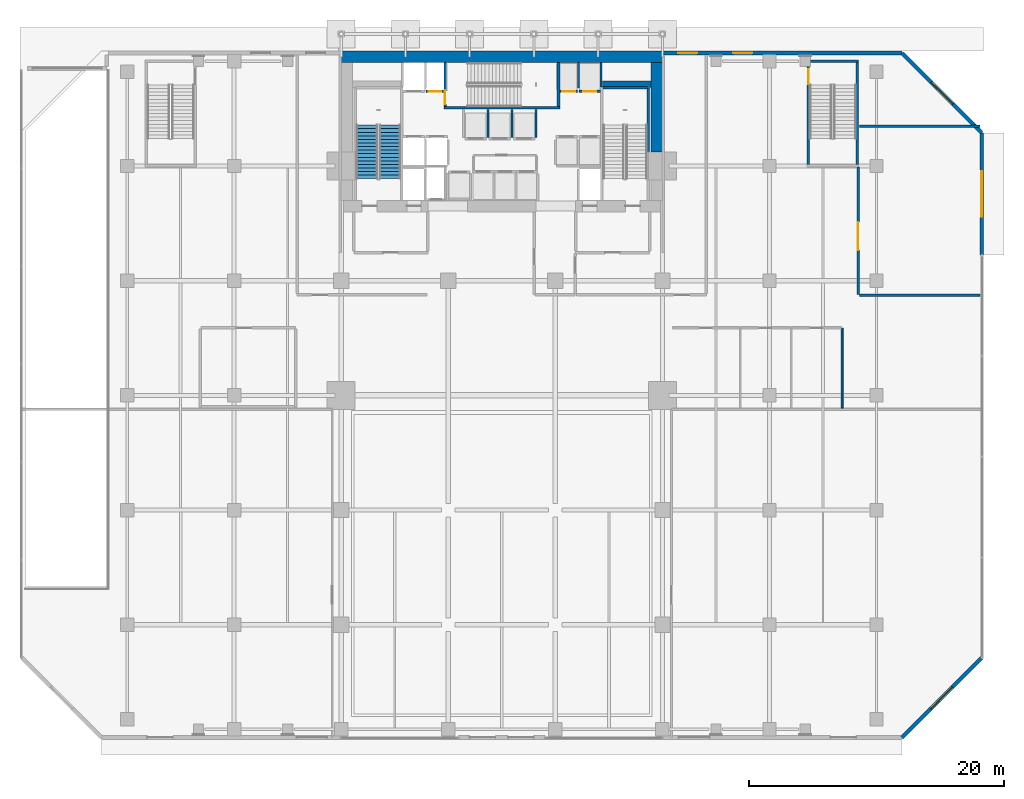
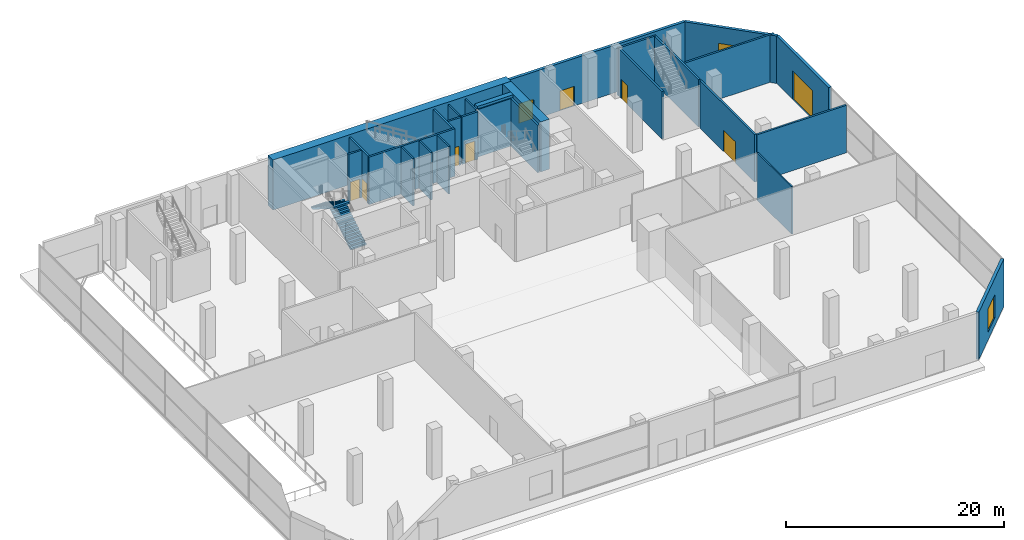
# One storey, part 30 of 35: 27 walls, 9 doors, 2 stair flights, 2 windows, 11 openings, 1 element without a shape of its own.
"""IFC4 building model written with IfcOpenShell, lengths in metres."""

from ifc_helpers import new_model, si_unit, direction, frame, frame_2d, origin, place, context, subcontext, project, spatial, polyline, rectangle, outline, extrude, material, layer, layer_set, type_object, element, fill, aggregate, save


model = new_model("IFC4")

# Units and contexts
model_context = context("Model", 3, precision=1e-05, world=origin(), true_north=direction((0.0, 1.0)))
body_context = subcontext(model_context, "Body", "Model", "MODEL_VIEW")
ifc_project = project(units=[si_unit("LENGTHUNIT", "METRE"), si_unit("AREAUNIT", "SQUARE_METRE"), si_unit("VOLUMEUNIT", "CUBIC_METRE"), si_unit("PLANEANGLEUNIT", "RADIAN"), si_unit("MASSUNIT", "GRAM", prefix="KILO")], contexts=[model_context])

# Site, building, storey
site_placement = place(None, origin())
site = spatial("IfcSite", under=ifc_project, at=site_placement, CompositionType="ELEMENT")
building_placement = place(site_placement, origin())
building = spatial("IfcBuilding", under=site, at=building_placement, Name="Maruvema Waterfront Hotel and Observation Tower", CompositionType="ELEMENT")
storey_placement = place(building_placement, origin())
storey = spatial("IfcBuildingStorey", under=building, at=storey_placement, Name="L00", CompositionType="ELEMENT", Elevation=0.0)

# Walls
ifc_material_1 = material(Name="Twin-stud acoustic gypsum drywall", Category="gypsum")
ifc_layer_1 = layer(ifc_material_1, 0.14990234375, Name="Acoustic Corridor and Suite Demising Wall 150 mm")
ifc_layer_set_1 = layer_set([ifc_layer_1], Name="Twin-stud acoustic gypsum drywall")
wall_type_1 = type_object("IfcWallType", Name="Acoustic Corridor and Suite Demising Wall 150 mm", PredefinedType="PARTITIONING", material=ifc_layer_set_1)
wall_1_placement = place(storey_placement, frame((64.5, 26.0, 0.0), z_axis=(0.0, 0.0, 1.0), x_axis=(0.0, 1.0, 0.0)))
element("IfcWall", 1, at=wall_1_placement, inside=storey, type_object=wall_type_1, Name="L00 WC East Wall 035", PredefinedType="PARTITIONING", context=body_context, shape_type="SweptSolid", body=[
    extrude(rectangle(XDim=6.280029296875, YDim=0.14990234375, at=frame_2d((3.14013671875, 0.0))), origin(), (0.0, 0.0, 1.0), 5.320068359375),
])
ifc_material_2 = material(Name="Precast concrete C45/55", Category="concrete")
ifc_layer_2 = layer(ifc_material_2, 0.199951171875, Name="Core Shaft and Stairwell Enclosure Wall 200 mm")
ifc_layer_set_2 = layer_set([ifc_layer_2], Name="Precast concrete C45/55")
wall_type_2 = type_object("IfcWallType", Name="Core Shaft and Stairwell Enclosure Wall 200 mm", PredefinedType="SOLIDWALL", material=ifc_layer_set_2)
wall_2_placement = place(storey_placement, frame((33.25, 49.550048828125, 0.0), z_axis=(0.0, 0.0, 1.0), x_axis=(1.0, 0.0, 0.0)))
element("IfcWall", 2, at=wall_2_placement, inside=storey, type_object=wall_type_2, Name="L00 Stairwell ST-02 Shaft Wall", PredefinedType="SOLIDWALL", context=body_context, shape_type="SweptSolid", body=[
    extrude(rectangle(XDim=9.10009765625, YDim=0.199951171875, at=frame_2d((4.550048828125, 0.0))), origin(), (0.0, 0.0, 1.0), 5.320068359375),
])
wall_3_placement = place(storey_placement, frame((42.25, 49.64990234375, 0.0), z_axis=(0.0, 0.0, 1.0), x_axis=(0.0, 1.0, 0.0)))
element("IfcWall", 3, at=wall_3_placement, inside=storey, type_object=wall_type_2, Name="L00 Stairwell ST-02 Shaft Wall", PredefinedType="SOLIDWALL", context=body_context, shape_type="SweptSolid", body=[
    extrude(rectangle(XDim=3.4501953125, YDim=0.199951171875, at=frame_2d((1.72509765625, 0.0))), origin(), (0.0, 0.0, 1.0), 5.320068359375),
])

# Wall, opening, door
wall_4_placement = place(storey_placement, frame((33.35009765625, 49.64990234375, 0.0), z_axis=(0.0, 0.0, 1.0), x_axis=(0.0, 1.0, 0.0)))
wall_4 = element("IfcWall", 4, at=wall_4_placement, inside=storey, type_object=wall_type_2, Name="L00 Stairwell ST-02 Shaft Wall", PredefinedType="SOLIDWALL", context=body_context, shape_type="SweptSolid", body=[
    extrude(rectangle(XDim=3.4501953125, YDim=0.199951171875, at=frame_2d((1.72509765625, 0.0))), origin(), (0.0, 0.0, 1.0), 5.320068359375),
])
opening_1_placement = place(wall_4_placement, frame((0.179931640625, 0.0, 0.0)))
opening_1 = element("IfcOpeningElement", 5, at=opening_1_placement, cuts=wall_4, Name="Opening SD-02", PredefinedType="OPENING", context=body_context, shape_type="SweptSolid", body=[
    extrude(rectangle(XDim=1.10009765625, YDim=2.14990234375, at=frame_2d((0.550048828125, 1.074951171875))), frame((0.0, 0.10986328125, 0.0), z_axis=(0.0, -1.0, 0.0), x_axis=(1.0, 0.0, 0.0)), (0.0, 0.0, 1.0), 0.219970703125),
])
ifc_material_3 = material(Name="Fire-rated galvanised steel leaf", Category="steel")
door_type_1 = type_object("IfcDoorType", Name="Central Exit Stair Fire Door 1100x2150 mm", OperationType="NOTDEFINED", PredefinedType="DOOR", material=ifc_material_3)
door_1_placement = place(opening_1_placement, origin())
door_1 = element("IfcDoor", 6, at=door_1_placement, inside=storey, type_object=door_type_1, Name="L00 Exit Stair ST-02 Fire Door", OperationType="SINGLE_SWING_LEFT", OverallHeight=2.14990234375, OverallWidth=1.10009765625, PredefinedType="DOOR", context=body_context, shape_type="SweptSolid", body=[
    extrude(rectangle(XDim=1.10009765625, YDim=2.14990234375, at=frame_2d((0.550048828125, 1.074951171875))), frame((0.0, 0.02490234375, 0.0), z_axis=(0.0, -1.0, 0.0), x_axis=(1.0, 0.0, 0.0)), (0.0, 0.0, 1.0), 0.050048828125),
])
fill(opening_1, door_1)

# Walls
wall_5_placement = place(storey_placement, frame((49.300048828125, 46.1201171875, 0.0), z_axis=(0.0, 0.0, 1.0), x_axis=(0.0, 1.0, 0.0)))
element("IfcWall", 7, at=wall_5_placement, inside=storey, type_object=wall_type_2, Name="L00 Stairwell ST-03 Shaft Lining Wall", PredefinedType="SOLIDWALL", context=body_context, shape_type="SweptSolid", body=[
    extrude(rectangle(XDim=5.0, YDim=0.199951171875, at=frame_2d((2.5, 0.0))), origin(), (0.0, 0.0, 1.0), 5.320068359375),
])
wall_6_placement = place(storey_placement, frame((45.719970703125, 51.14990234375, 0.0), z_axis=(0.0, 0.0, 1.0), x_axis=(1.0, 0.0, 0.0)))
element("IfcWall", 8, at=wall_6_placement, inside=storey, type_object=wall_type_2, Name="L00 Stairwell ST-03 Shaft Lining Wall", PredefinedType="SOLIDWALL", context=body_context, shape_type="SweptSolid", body=[
    extrude(rectangle(XDim=3.5, YDim=0.199951171875, at=frame_2d((1.75, 0.0))), origin(), (0.0, 0.0, 1.0), 5.320068359375),
])

# Wall, opening, door
wall_7_placement = place(storey_placement, frame((61.85009765625, 45.10009765625, 0.0), z_axis=(0.0, 0.0, 1.0), x_axis=(0.0, 1.0, 0.0)))
wall_7 = element("IfcWall", 9, at=wall_7_placement, inside=storey, type_object=wall_type_2, Name="L00 Stairwell ST-05 Shaft Wall", PredefinedType="SOLIDWALL", context=body_context, shape_type="SweptSolid", body=[
    extrude(rectangle(XDim=8.099853515625, YDim=0.199951171875, at=frame_2d((4.0498046875, 0.0))), origin(), (0.0, 0.0, 1.0), 5.320068359375),
])
opening_2_placement = place(wall_7_placement, frame((6.320068359375, 0.0, 0.0)))
opening_2 = element("IfcOpeningElement", 10, at=opening_2_placement, cuts=wall_7, Name="Opening SD-01", PredefinedType="OPENING", context=body_context, shape_type="SweptSolid", body=[
    extrude(rectangle(XDim=1.14990234375, YDim=2.14990234375, at=frame_2d((0.574951171875, 1.074951171875))), frame((0.0, 0.10986328125, 0.0), z_axis=(0.0, -1.0, 0.0), x_axis=(1.0, 0.0, 0.0)), (0.0, 0.0, 1.0), 0.219970703125),
])
ifc_material_4 = material(Name="Fire-rated galvanised steel leaf", Category="steel")
door_type_2 = type_object("IfcDoorType", Name="Exit Stair Fire Door 1150x2150 mm", OperationType="NOTDEFINED", PredefinedType="DOOR", material=ifc_material_4)
door_2_placement = place(opening_2_placement, frame((1.14990234375, 0.0, 0.0), z_axis=(0.0, 0.0, 1.0), x_axis=(-1.0, 0.0, 0.0)))
door_2 = element("IfcDoor", 11, at=door_2_placement, inside=storey, type_object=door_type_2, Name="L00 Exit Stair ST-05 Fire Door", OperationType="SINGLE_SWING_LEFT", OverallHeight=2.14990234375, OverallWidth=1.14990234375, PredefinedType="DOOR", context=body_context, shape_type="SweptSolid", body=[
    extrude(rectangle(XDim=1.14990234375, YDim=2.14990234375, at=frame_2d((0.574951171875, 1.074951171875))), frame((0.0, 0.02490234375, 0.0), z_axis=(0.0, -1.0, 0.0), x_axis=(1.0, 0.0, 0.0)), (0.0, 0.0, 1.0), 0.050048828125),
])
fill(opening_2, door_2)

# Walls
wall_8_placement = place(storey_placement, frame((65.699951171875, 45.10009765625, 0.0), z_axis=(0.0, 0.0, 1.0), x_axis=(0.0, 1.0, 0.0)))
element("IfcWall", 12, at=wall_8_placement, inside=storey, type_object=wall_type_2, Name="L00 Stairwell ST-05 Shaft Wall", PredefinedType="SOLIDWALL", context=body_context, shape_type="SweptSolid", body=[
    extrude(rectangle(XDim=8.099853515625, YDim=0.199951171875, at=frame_2d((4.0498046875, 0.0))), origin(), (0.0, 0.0, 1.0), 5.320068359375),
])
wall_9_placement = place(storey_placement, frame((61.75, 53.199951171875, 0.0), z_axis=(0.0, 0.0, 1.0), x_axis=(1.0, 0.0, 0.0)))
element("IfcWall", 13, at=wall_9_placement, inside=storey, type_object=wall_type_2, Name="L00 Stairwell ST-05 Shaft Wall", PredefinedType="SOLIDWALL", context=body_context, shape_type="SweptSolid", body=[
    extrude(rectangle(XDim=4.050048828125, YDim=0.199951171875, at=frame_2d((2.02490234375, 0.0))), origin(), (0.0, 0.0, 1.0), 5.320068359375),
])

# Wall, opening, door
wall_10_placement = place(storey_placement, frame((31.860107421875, 50.85009765625, 0.0), z_axis=(0.0, 0.0, 1.0), x_axis=(1.0, 0.0, 0.0)))
wall_10 = element("IfcWall", 14, at=wall_10_placement, inside=storey, type_object=wall_type_2, Name="L00 Lift LF-04 Hoistway Front Wall", PredefinedType="SOLIDWALL", context=body_context, shape_type="SweptSolid", body=[
    extrude(rectangle(XDim=1.3798828125, YDim=0.199951171875, at=frame_2d((0.68994140625, 0.0))), origin(), (0.0, 0.0, 1.0), 5.320068359375),
])
opening_3_placement = place(wall_10_placement, frame((0.18994140625, 0.0, 0.0)))
opening_3 = element("IfcOpeningElement", 15, at=opening_3_placement, cuts=wall_10, Name="Opening LD-01", PredefinedType="OPENING", context=body_context, shape_type="SweptSolid", body=[
    extrude(rectangle(XDim=1.0, YDim=2.14990234375, at=frame_2d((0.5, 1.074951171875))), frame((0.0, 0.10986328125, 0.0), z_axis=(0.0, -1.0, 0.0), x_axis=(1.0, 0.0, 0.0)), (0.0, 0.0, 1.0), 0.219970703125),
])
ifc_material_5 = material(Name="Brushed stainless steel Grade 316", Category="steel")
door_type_3 = type_object("IfcDoorType", Name="Passenger Lift Sliding Landing Door 1000x2150 mm", OperationType="SLIDING_TO_LEFT", PredefinedType="DOOR", material=ifc_material_5)
door_3_placement = place(opening_3_placement, frame((1.0, 0.0, 0.0), z_axis=(0.0, 0.0, 1.0), x_axis=(-1.0, 0.0, 0.0)))
door_3 = element("IfcDoor", 16, at=door_3_placement, inside=storey, type_object=door_type_3, Name="L00 Lift LF-04 Sliding Landing Door", OperationType="SLIDING_TO_LEFT", OverallHeight=2.14990234375, OverallWidth=1.0, PredefinedType="DOOR", context=body_context, shape_type="SweptSolid", body=[
    extrude(rectangle(XDim=1.0, YDim=2.14990234375, at=frame_2d((0.5, 1.074951171875))), frame((0.0, 0.02490234375, 0.0), z_axis=(0.0, -1.0, 0.0), x_axis=(1.0, 0.0, 0.0)), (0.0, 0.0, 1.0), 0.050048828125),
])
fill(opening_3, door_3)

wall_11_placement = place(storey_placement, frame((42.360107421875, 50.85009765625, 0.0), z_axis=(0.0, 0.0, 1.0), x_axis=(1.0, 0.0, 0.0)))
wall_11 = element("IfcWall", 17, at=wall_11_placement, inside=storey, type_object=wall_type_2, Name="L00 Lift LF-07 Hoistway Front Wall", PredefinedType="SOLIDWALL", context=body_context, shape_type="SweptSolid", body=[
    extrude(rectangle(XDim=1.3798828125, YDim=0.199951171875, at=frame_2d((0.68994140625, 0.0))), origin(), (0.0, 0.0, 1.0), 5.320068359375),
])
opening_4_placement = place(wall_11_placement, frame((0.18994140625, 0.0, 0.0)))
opening_4 = element("IfcOpeningElement", 18, at=opening_4_placement, cuts=wall_11, Name="Opening LD-01", PredefinedType="OPENING", context=body_context, shape_type="SweptSolid", body=[
    extrude(rectangle(XDim=1.0, YDim=2.14990234375, at=frame_2d((0.5, 1.074951171875))), frame((0.0, 0.10986328125, 0.0), z_axis=(0.0, -1.0, 0.0), x_axis=(1.0, 0.0, 0.0)), (0.0, 0.0, 1.0), 0.219970703125),
])
door_4_placement = place(opening_4_placement, frame((1.0, 0.0, 0.0), z_axis=(0.0, 0.0, 1.0), x_axis=(-1.0, 0.0, 0.0)))
door_4 = element("IfcDoor", 19, at=door_4_placement, inside=storey, type_object=door_type_3, Name="L00 Lift LF-07 Sliding Landing Door", OperationType="SLIDING_TO_LEFT", OverallHeight=2.14990234375, OverallWidth=1.0, PredefinedType="DOOR", context=body_context, shape_type="SweptSolid", body=[
    extrude(rectangle(XDim=1.0, YDim=2.14990234375, at=frame_2d((0.5, 1.074951171875))), frame((0.0, 0.02490234375, 0.0), z_axis=(0.0, -1.0, 0.0), x_axis=(1.0, 0.0, 0.0)), (0.0, 0.0, 1.0), 0.050048828125),
])
fill(opening_4, door_4)

wall_12_placement = place(storey_placement, frame((43.860107421875, 50.85009765625, 0.0), z_axis=(0.0, 0.0, 1.0), x_axis=(1.0, 0.0, 0.0)))
wall_12 = element("IfcWall", 20, at=wall_12_placement, inside=storey, type_object=wall_type_2, Name="L00 Lift LF-08 Hoistway Front Wall", PredefinedType="SOLIDWALL", context=body_context, shape_type="SweptSolid", body=[
    extrude(rectangle(XDim=1.679931640625, YDim=0.199951171875, at=frame_2d((0.83984375, 0.0))), origin(), (0.0, 0.0, 1.0), 5.320068359375),
])
opening_5_placement = place(wall_12_placement, frame((0.340087890625, 0.0, 0.0)))
opening_5 = element("IfcOpeningElement", 21, at=opening_5_placement, cuts=wall_12, Name="Opening LD-01", PredefinedType="OPENING", context=body_context, shape_type="SweptSolid", body=[
    extrude(rectangle(XDim=1.0, YDim=2.14990234375, at=frame_2d((0.5, 1.074951171875))), frame((0.0, 0.10986328125, 0.0), z_axis=(0.0, -1.0, 0.0), x_axis=(1.0, 0.0, 0.0)), (0.0, 0.0, 1.0), 0.219970703125),
])
door_5_placement = place(opening_5_placement, frame((1.0, 0.0, 0.0), z_axis=(0.0, 0.0, 1.0), x_axis=(-1.0, 0.0, 0.0)))
door_5 = element("IfcDoor", 22, at=door_5_placement, inside=storey, type_object=door_type_3, Name="L00 Lift LF-08 Sliding Landing Door", OperationType="SLIDING_TO_LEFT", OverallHeight=2.14990234375, OverallWidth=1.0, PredefinedType="DOOR", context=body_context, shape_type="SweptSolid", body=[
    extrude(rectangle(XDim=1.0, YDim=2.14990234375, at=frame_2d((0.5, 1.074951171875))), frame((0.0, 0.02490234375, 0.0), z_axis=(0.0, -1.0, 0.0), x_axis=(1.0, 0.0, 0.0)), (0.0, 0.0, 1.0), 0.050048828125),
])
fill(opening_5, door_5)

# Walls
ifc_material_6 = material(Name="Concrete C70/85", Category="concrete")
ifc_layer_3 = layer(ifc_material_6, 0.5, Name="Core Shear Wall 500 mm")
ifc_layer_set_3 = layer_set([ifc_layer_3], Name="Concrete C70/85")
wall_type_3 = type_object("IfcWallType", Name="Core Shear Wall 500 mm", PredefinedType="SHEAR", material=ifc_layer_set_3)
wall_13_placement = place(storey_placement, frame((45.699951171875, 51.39990234375, 0.0), z_axis=(0.0, 0.0, 1.0), x_axis=(1.0, 0.0, 0.0)))
element("IfcWall", 23, at=wall_13_placement, inside=storey, type_object=wall_type_3, Name="L00 Internal Core Shear Wall NE 500 mm", PredefinedType="SHEAR", context=body_context, shape_type="SweptSolid", body=[
    extrude(rectangle(XDim=3.800048828125, YDim=0.5, at=frame_2d((1.89990234375, 0.0))), origin(), (0.0, 0.0, 1.0), 5.60009765625),
])
ifc_material_7 = material(Name="Concrete C80/95", Category="concrete")
ifc_layer_4 = layer(ifc_material_7, 0.89990234375, Name="Core Shear Wall 900 mm")
ifc_layer_set_4 = layer_set([ifc_layer_4], Name="Concrete C80/95")
wall_type_4 = type_object("IfcWallType", Name="Core Shear Wall 900 mm", PredefinedType="SHEAR", material=ifc_layer_set_4)
wall_14_placement = place(storey_placement, frame((25.199951171875, 53.550048828125, 0.0), z_axis=(0.0, 0.0, 1.0), x_axis=(1.0, 0.0, 0.0)))
element("IfcWall", 24, at=wall_14_placement, inside=storey, type_object=wall_type_4, Name="L00 North Core Shear Wall", PredefinedType="SHEAR", context=body_context, shape_type="SweptSolid", body=[
    extrude(rectangle(XDim=25.199951171875, YDim=0.89990234375, at=frame_2d((12.60009765625, 0.0))), origin(), (0.0, 0.0, 1.0), 5.60009765625),
])
wall_15_placement = place(storey_placement, frame((49.949951171875, 46.10009765625, 0.0), z_axis=(0.0, 0.0, 1.0), x_axis=(0.0, 1.0, 0.0)))
element("IfcWall", 25, at=wall_15_placement, inside=storey, type_object=wall_type_4, Name="L00 East-North Core Shear Wall", PredefinedType="SHEAR", context=body_context, shape_type="SweptSolid", body=[
    extrude(rectangle(XDim=7.0, YDim=0.89990234375, at=frame_2d((3.5, 0.0))), origin(), (0.0, 0.0, 1.0), 5.60009765625),
])

# Wall, opening, door
ifc_material_8 = material(Name="Autoclaved cellular concrete blockwork", Category="masonry")
ifc_layer_5 = layer(ifc_material_8, 0.199951171875, Name="Fire Compartment Masonry Wall 200 mm")
ifc_layer_set_5 = layer_set([ifc_layer_5], Name="Autoclaved cellular concrete blockwork")
wall_type_5 = type_object("IfcWallType", Name="Fire Compartment Masonry Wall 200 mm", PredefinedType="PARTITIONING", material=ifc_layer_set_5)
wall_16_placement = place(storey_placement, frame((65.75, 34.89990234375, 0.0), z_axis=(0.0, 0.0, 1.0), x_axis=(0.0, 1.0, 0.0)))
wall_16 = element("IfcWall", 26, at=wall_16_placement, inside=storey, type_object=wall_type_5, Name="L00 Loading Dock West Wall 036", PredefinedType="PARTITIONING", context=body_context, shape_type="SweptSolid", body=[
    extrude(rectangle(XDim=10.0, YDim=0.199951171875, at=frame_2d((5.0, 0.0))), origin(), (0.0, 0.0, 1.0), 5.320068359375),
])
opening_6_placement = place(wall_16_placement, frame((3.5, 0.0, 0.0)))
opening_6 = element("IfcOpeningElement", 27, at=opening_6_placement, cuts=wall_16, Name="Opening DG-03", PredefinedType="OPENING", context=body_context, shape_type="SweptSolid", body=[
    extrude(rectangle(XDim=2.199951171875, YDim=2.39990234375, at=frame_2d((1.10009765625, 1.199951171875))), frame((0.0, 0.10986328125, 0.0), z_axis=(0.0, -1.0, 0.0), x_axis=(1.0, 0.0, 0.0)), (0.0, 0.0, 1.0), 0.219970703125),
])
ifc_material_9 = material(Name="Powder-coated galvanised steel", Category="steel")
door_type_4 = type_object("IfcDoorType", Name="Plant Room Double Equipment Gate 2200x2400 mm", OperationType="DOUBLE_DOOR_SINGLE_SWING", PredefinedType="GATE", material=ifc_material_9)
door_6_placement = place(opening_6_placement, frame((2.199951171875, 0.0, 0.0), z_axis=(0.0, 0.0, 1.0), x_axis=(-1.0, 0.0, 0.0)))
door_6 = element("IfcDoor", 28, at=door_6_placement, inside=storey, type_object=door_type_4, Name="L00 Loading Dock Corridor Door", OperationType="DOUBLE_DOOR_SINGLE_SWING", OverallHeight=2.39990234375, OverallWidth=2.199951171875, PredefinedType="GATE", context=body_context, shape_type="SweptSolid", body=[
    extrude(rectangle(XDim=2.199951171875, YDim=2.39990234375, at=frame_2d((1.10009765625, 1.199951171875))), frame((0.0, 0.02490234375, 0.0), z_axis=(0.0, -1.0, 0.0), x_axis=(1.0, 0.0, 0.0)), (0.0, 0.0, 1.0), 0.050048828125),
])
fill(opening_6, door_6)

# Walls
for number, where, z_axis, x_axis, name in (
    (29, (65.85009765625, 48.10009765625, 0.0), (0.0, 0.0, 1.0), (1.0, 0.0, 0.0), "L00 Loading Dock North Wall 037"),
    (30, (65.85009765625, 34.85009765625, 0.0), (0.0, 0.0, 1.0), (1.0, 0.0, 0.0), "L00 Loading Dock South Wall 038"),
):
    element("IfcWall", number, at=place(storey_placement, frame(where, z_axis=z_axis, x_axis=x_axis)), inside=storey, type_object=wall_type_5, Name=name, PredefinedType="PARTITIONING", context=body_context, shape_type="SweptSolid", body=[
        extrude(rectangle(XDim=9.449951171875, YDim=0.199951171875, at=frame_2d((4.72509765625, 0.0))), origin(), (0.0, 0.0, 1.0), 5.320068359375),
    ])
ifc_material_10 = material(Name="Precast concrete C45/55", Category="concrete")
ifc_layer_6 = layer(ifc_material_10, 0.159912109375, Name="Lift Hoistway Divider Wall 160 mm")
ifc_layer_set_6 = layer_set([ifc_layer_6], Name="Precast concrete C45/55")
wall_type_6 = type_object("IfcWallType", Name="Lift Hoistway Divider Wall 160 mm", PredefinedType="SOLIDWALL", material=ifc_layer_set_6)
wall_17_placement = place(storey_placement, frame((45.590087890625, 51.179931640625, 0.0), z_axis=(0.0, 0.0, 1.0), x_axis=(0.0, 1.0, 0.0)))
element("IfcWall", 31, at=wall_17_placement, inside=storey, type_object=wall_type_6, Name="L00 Hoistway Divider Wall", PredefinedType="SOLIDWALL", context=body_context, shape_type="SweptSolid", body=[
    extrude(rectangle(XDim=1.920166015625, YDim=0.159912109375, at=frame_2d((0.9599609375, 0.0))), origin(), (0.0, 0.0, 1.0), 5.320068359375),
])
wall_18_placement = place(storey_placement, frame((43.800048828125, 51.10009765625, 0.0), z_axis=(0.0, 0.0, 1.0), x_axis=(0.0, 1.0, 0.0)))
element("IfcWall", 32, at=wall_18_placement, inside=storey, type_object=wall_type_6, Name="L00 Hoistway Divider Wall", PredefinedType="SOLIDWALL", context=body_context, shape_type="SweptSolid", body=[
    extrude(rectangle(XDim=2.0, YDim=0.159912109375, at=frame_2d((1.0, 0.0))), origin(), (0.0, 0.0, 1.0), 5.320068359375),
])
for number, where, z_axis, x_axis, name in (
    (33, (36.699951171875, 47.25, 0.0), (0.0, 0.0, 1.0), (0.0, 1.0, 0.0), "L00 Hoistway Divider Wall"),
    (34, (38.60009765625, 47.25, 0.0), (0.0, 0.0, 1.0), (0.0, 1.0, 0.0), "L00 Hoistway Divider Wall"),
    (35, (40.5, 47.25, 0.0), (0.0, 0.0, 1.0), (0.0, 1.0, 0.0), "L00 Hoistway Divider Wall"),
):
    element("IfcWall", number, at=place(storey_placement, frame(where, z_axis=z_axis, x_axis=x_axis)), inside=storey, type_object=wall_type_6, Name=name, PredefinedType="SOLIDWALL", context=body_context, shape_type="SweptSolid", body=[
        extrude(rectangle(XDim=2.18994140625, YDim=0.159912109375, at=frame_2d((1.094970703125, 0.0))), origin(), (0.0, 0.0, 1.0), 5.320068359375),
    ])

# Wall, opening, window
ifc_material_11 = material(Name="Precast concrete C45/55 with honed Pernambuco granite facing", Category="masonry")
ifc_layer_7 = layer(ifc_material_11, 0.300048828125, Name="Podium Waterfront Granite Colonnade Wall 300 mm")
ifc_layer_set_7 = layer_set([ifc_layer_7], Name="Precast concrete C45/55 with honed Pernambuco granite facing")
wall_type_7 = type_object("IfcWallType", Name="Podium Waterfront Granite Colonnade Wall 300 mm", PredefinedType="SOLIDWALL", material=ifc_layer_set_7)
wall_19_placement = place(storey_placement, frame((69.199951171875, 0.14990234375, 0.0), z_axis=(0.0, 0.0, 1.0), x_axis=(0.707106781187, 0.707106781187, 0.0)))
wall_19 = element("IfcWall", 36, at=wall_19_placement, inside=storey, type_object=wall_type_7, Name="L00 Podium Chamfer Granite Pier Wall SE", PredefinedType="SOLIDWALL", context=body_context, shape_type="SweptSolid", body=[
    extrude(rectangle(XDim=8.8388671875, YDim=0.300048828125, at=frame_2d((4.41943359375, 0.0))), origin(), (0.0, 0.0, 1.0), 5.320068359375),
])
opening_7_placement = place(wall_19_placement, frame((3.199951171875, 0.0, 0.89990234375)))
opening_7 = element("IfcOpeningElement", 37, at=opening_7_placement, cuts=wall_19, Name="Opening WN-04", PredefinedType="OPENING", context=body_context, shape_type="SweptSolid", body=[
    extrude(rectangle(XDim=2.39990234375, YDim=2.60009765625, at=frame_2d((1.199951171875, 1.300048828125))), frame((0.0, 0.16015625, 0.0), z_axis=(0.0, -1.0, 0.0), x_axis=(1.0, 0.0, 0.0)), (0.0, 0.0, 1.0), 0.320068359375),
])
ifc_material_12 = material(Name="Anodised bronze aluminium frame with laminated low-E glass", Category="aluminium")
window_type = type_object("IfcWindowType", Name="Podium Waterfront Punched Window 2400x2600 mm", PartitioningType="SINGLE_PANEL", PredefinedType="WINDOW", material=ifc_material_12)
window_1_placement = place(opening_7_placement, origin())
window_1 = element("IfcWindow", 38, at=window_1_placement, inside=storey, type_object=window_type, Name="L00 Podium Chamfer Feature Window SE", OverallHeight=2.60009765625, OverallWidth=2.39990234375, PartitioningType="SINGLE_PANEL", PredefinedType="WINDOW", context=body_context, shape_type="SweptSolid", body=[
    extrude(rectangle(XDim=2.39990234375, YDim=2.60009765625, at=frame_2d((1.199951171875, 1.300048828125))), frame((0.0, 0.030029296875, 0.0), z_axis=(0.0, -1.0, 0.0), x_axis=(1.0, 0.0, 0.0)), (0.0, 0.0, 1.0), 0.06005859375),
])
fill(opening_7, window_1)

wall_20_placement = place(storey_placement, frame((75.449951171875, 47.60009765625, 0.0), z_axis=(0.0, 0.0, 1.0), x_axis=(-0.707106781187, 0.707106781187, 0.0)))
wall_20 = element("IfcWall", 39, at=wall_20_placement, inside=storey, type_object=wall_type_7, Name="L00 Podium Chamfer Granite Pier Wall NE", PredefinedType="SOLIDWALL", context=body_context, shape_type="SweptSolid", body=[
    extrude(rectangle(XDim=8.8388671875, YDim=0.300048828125, at=frame_2d((4.41943359375, 0.0))), origin(), (0.0, 0.0, 1.0), 5.320068359375),
])
opening_8_placement = place(wall_20_placement, frame((3.199951171875, 0.0, 0.89990234375)))
opening_8 = element("IfcOpeningElement", 40, at=opening_8_placement, cuts=wall_20, Name="Opening WN-04", PredefinedType="OPENING", context=body_context, shape_type="SweptSolid", body=[
    extrude(rectangle(XDim=2.39990234375, YDim=2.60009765625, at=frame_2d((1.199951171875, 1.300048828125))), frame((0.0, 0.16015625, 0.0), z_axis=(0.0, -1.0, 0.0), x_axis=(1.0, 0.0, 0.0)), (0.0, 0.0, 1.0), 0.320068359375),
])
window_2_placement = place(opening_8_placement, origin())
window_2 = element("IfcWindow", 41, at=window_2_placement, inside=storey, type_object=window_type, Name="L00 Podium Chamfer Feature Window NE", OverallHeight=2.60009765625, OverallWidth=2.39990234375, PartitioningType="SINGLE_PANEL", PredefinedType="WINDOW", context=body_context, shape_type="SweptSolid", body=[
    extrude(rectangle(XDim=2.39990234375, YDim=2.60009765625, at=frame_2d((1.199951171875, 1.300048828125))), frame((0.0, 0.030029296875, 0.0), z_axis=(0.0, -1.0, 0.0), x_axis=(1.0, 0.0, 0.0)), (0.0, 0.0, 1.0), 0.06005859375),
])
fill(opening_8, window_2)

# Wall, opening, door
wall_21_placement = place(storey_placement, frame((75.449951171875, 47.60009765625, 0.0), z_axis=(0.0, 0.0, 1.0), x_axis=(0.0, -1.0, 0.0)))
wall_21 = element("IfcWall", 42, at=wall_21_placement, inside=storey, type_object=wall_type_7, Name="L00 East Service Loading Dock Wall", PredefinedType="SOLIDWALL", context=body_context, shape_type="SweptSolid", body=[
    extrude(rectangle(XDim=9.60009765625, YDim=0.300048828125, at=frame_2d((4.800048828125, 0.0))), origin(), (0.0, 0.0, 1.0), 5.320068359375),
])
opening_9_placement = place(wall_21_placement, frame((3.0, 0.0, 0.0)))
opening_9 = element("IfcOpeningElement", 43, at=opening_9_placement, cuts=wall_21, Name="Opening DG-02", PredefinedType="OPENING", context=body_context, shape_type="SweptSolid", body=[
    extrude(rectangle(XDim=3.60009765625, YDim=3.199951171875, at=frame_2d((1.800048828125, 1.60009765625))), frame((0.0, 0.16015625, 0.0), z_axis=(0.0, -1.0, 0.0), x_axis=(1.0, 0.0, 0.0)), (0.0, 0.0, 1.0), 0.320068359375),
])
ifc_material_13 = material(Name="Galvanised steel roller slats", Category="steel")
door_type_5 = type_object("IfcDoorType", Name="Service Loading Bay Roller Gate 3600x3200 mm", OperationType="ROLLINGUP", PredefinedType="GATE", material=ifc_material_13)
door_7_placement = place(opening_9_placement, origin())
door_7 = element("IfcDoor", 44, at=door_7_placement, inside=storey, type_object=door_type_5, Name="L00 Service Loading Dock Roller Gate", OperationType="ROLLINGUP", OverallHeight=3.199951171875, OverallWidth=3.60009765625, PredefinedType="GATE", context=body_context, shape_type="SweptSolid", body=[
    extrude(rectangle(XDim=3.60009765625, YDim=3.199951171875, at=frame_2d((1.800048828125, 1.60009765625))), frame((0.0, 0.02490234375, 0.0), z_axis=(0.0, -1.0, 0.0), x_axis=(1.0, 0.0, 0.0)), (0.0, 0.0, 1.0), 0.050048828125),
])
fill(opening_9, door_7)

# Wall, openings, doors
wall_22_placement = place(storey_placement, frame((50.39990234375, 53.85009765625, 0.0), z_axis=(0.0, 0.0, 1.0), x_axis=(1.0, 0.0, 0.0)))
wall_22 = element("IfcWall", 45, at=wall_22_placement, inside=storey, type_object=wall_type_7, Name="L00 North-East Stair Discharge Wall", PredefinedType="SOLIDWALL", context=body_context, shape_type="SweptSolid", body=[
    extrude(rectangle(XDim=18.800048828125, YDim=0.300048828125, at=frame_2d((9.39990234375, 0.0))), origin(), (0.0, 0.0, 1.0), 5.320068359375),
])
opening_10_placement = place(wall_22_placement, frame((1.25, 0.0, 0.0)))
opening_10 = element("IfcOpeningElement", 46, at=opening_10_placement, cuts=wall_22, Name="Opening ED-01", PredefinedType="OPENING", context=body_context, shape_type="SweptSolid", body=[
    extrude(rectangle(XDim=1.5, YDim=2.199951171875, at=frame_2d((0.75, 1.10009765625))), frame((0.0, 0.16015625, 0.0), z_axis=(0.0, -1.0, 0.0), x_axis=(1.0, 0.0, 0.0)), (0.0, 0.0, 1.0), 0.320068359375),
])
opening_11_placement = place(wall_22_placement, frame((5.550048828125, 0.0, 0.0)))
opening_11 = element("IfcOpeningElement", 47, at=opening_11_placement, cuts=wall_22, Name="Opening ED-01", PredefinedType="OPENING", context=body_context, shape_type="SweptSolid", body=[
    extrude(rectangle(XDim=1.5, YDim=2.199951171875, at=frame_2d((0.75, 1.10009765625))), frame((0.0, 0.16015625, 0.0), z_axis=(0.0, -1.0, 0.0), x_axis=(1.0, 0.0, 0.0)), (0.0, 0.0, 1.0), 0.320068359375),
])
ifc_material_14 = material(Name="Powder-coated aluminium and laminated safety glass", Category="aluminium")
door_type_6 = type_object("IfcDoorType", Name="Final Exit Discharge Double Door 1500x2200 mm", OperationType="DOUBLE_DOOR_SINGLE_SWING", PredefinedType="DOOR", material=ifc_material_14)
door_8_placement = place(opening_10_placement, origin())
door_8 = element("IfcDoor", 48, at=door_8_placement, inside=storey, type_object=door_type_6, Name="L00 Core East Passageway Exterior Final Exit Door", OperationType="DOUBLE_DOOR_SINGLE_SWING", OverallHeight=2.199951171875, OverallWidth=1.5, PredefinedType="DOOR", context=body_context, shape_type="SweptSolid", body=[
    extrude(rectangle(XDim=1.5, YDim=2.199951171875, at=frame_2d((0.75, 1.10009765625))), frame((0.0, 0.02490234375, 0.0), z_axis=(0.0, -1.0, 0.0), x_axis=(1.0, 0.0, 0.0)), (0.0, 0.0, 1.0), 0.050048828125),
])
fill(opening_10, door_8)
door_9_placement = place(opening_11_placement, origin())
door_9 = element("IfcDoor", 49, at=door_9_placement, inside=storey, type_object=door_type_6, Name="L00 Stair ST-05 Exterior Final Exit Door", OperationType="DOUBLE_DOOR_SINGLE_SWING", OverallHeight=2.199951171875, OverallWidth=1.5, PredefinedType="DOOR", context=body_context, shape_type="SweptSolid", body=[
    extrude(rectangle(XDim=1.5, YDim=2.199951171875, at=frame_2d((0.75, 1.10009765625))), frame((0.0, 0.02490234375, 0.0), z_axis=(0.0, -1.0, 0.0), x_axis=(1.0, 0.0, 0.0)), (0.0, 0.0, 1.0), 0.050048828125),
])
fill(opening_11, door_9)

# Stair, stair flights
ifc_material_15 = material(Name="Concrete C50/60", Category="concrete")
stair_type = type_object("IfcStairType", Name="Dogleg Exit Stair 1650 mm (32R x 175.0 mm)", PredefinedType="HALF_TURN_STAIR", material=ifc_material_15)
stair_placement = place(storey_placement, origin())
stair = element("IfcStair", 50, at=stair_placement, inside=storey, type_object=stair_type, Name="L00 ST-01", PredefinedType="HALF_TURN_STAIR")
ifc_material_16 = material(Name="Concrete C50/60", Category="concrete")
stair_flight_type = type_object("IfcStairFlightType", Name="Reinforced Concrete Stair Flight 1650 mm (16R x 175.0 mm)", PredefinedType="STRAIGHT", material=ifc_material_16)
stair_flight_1_placement = place(storey_placement, frame((29.02490234375, 44.0, 0.0), z_axis=(0.0, 0.0, 1.0), x_axis=(0.0, 1.0, 0.0)))
stair_flight_1 = element("IfcStairFlight", 51, at=stair_flight_1_placement, type_object=stair_flight_type, Name="ST-01 flight 1", NumberOfRisers=16, NumberOfTreads=15, PredefinedType="STRAIGHT", RiserHeight=0.175, TreadLength=0.28, context=body_context, shape_type="SweptSolid", body=[
    extrude(outline(polyline([(0.0, 0.0), (0.0, 0.175048828125), (0.280029296875, 0.175048828125), (0.280029296875, 0.35009765625), (0.56005859375, 0.35009765625), (0.56005859375, 0.52490234375), (0.840087890625, 0.52490234375), (0.840087890625, 0.699951171875), (1.1201171875, 0.699951171875), (1.1201171875, 0.875), (1.39990234375, 0.875), (1.39990234375, 1.050048828125), (1.679931640625, 1.050048828125), (1.679931640625, 1.22509765625), (1.9599609375, 1.22509765625), (1.9599609375, 1.39990234375), (2.239990234375, 1.39990234375), (2.239990234375, 1.574951171875), (2.52001953125, 1.574951171875), (2.52001953125, 1.75), (2.800048828125, 1.75), (2.800048828125, 1.925048828125), (3.080078125, 1.925048828125), (3.080078125, 2.10009765625), (3.360107421875, 2.10009765625), (3.360107421875, 2.27490234375), (3.639892578125, 2.27490234375), (3.639892578125, 2.449951171875), (3.919921875, 2.449951171875), (3.919921875, 2.625), (4.199951171875, 2.625), (4.199951171875, 2.800048828125), (4.199951171875, 2.4482421875), (0.28271484375, 0.0), (0.0, 0.0)])), frame((0.0, 0.824951171875, 0.0), z_axis=(0.0, -1.0, 0.0), x_axis=(1.0, 0.0, 0.0)), (0.0, 0.0, 1.0), 1.64990234375),
])
stair_flight_2_placement = place(storey_placement, frame((27.22509765625, 48.199951171875, 2.800048828125), z_axis=(0.0, 0.0, 1.0), x_axis=(0.0, -1.0, 0.0)))
stair_flight_2 = element("IfcStairFlight", 52, at=stair_flight_2_placement, type_object=stair_flight_type, Name="ST-01 flight 2", NumberOfRisers=16, NumberOfTreads=15, PredefinedType="STRAIGHT", RiserHeight=0.175, TreadLength=0.28, context=body_context, shape_type="SweptSolid", body=[
    extrude(outline(polyline([(0.0, 0.0), (0.0, 0.175048828125), (0.280029296875, 0.175048828125), (0.280029296875, 0.35009765625), (0.56005859375, 0.35009765625), (0.56005859375, 0.52490234375), (0.840087890625, 0.52490234375), (0.840087890625, 0.699951171875), (1.1201171875, 0.699951171875), (1.1201171875, 0.875), (1.39990234375, 0.875), (1.39990234375, 1.050048828125), (1.679931640625, 1.050048828125), (1.679931640625, 1.22509765625), (1.9599609375, 1.22509765625), (1.9599609375, 1.39990234375), (2.239990234375, 1.39990234375), (2.239990234375, 1.574951171875), (2.52001953125, 1.574951171875), (2.52001953125, 1.75), (2.800048828125, 1.75), (2.800048828125, 1.925048828125), (3.080078125, 1.925048828125), (3.080078125, 2.10009765625), (3.360107421875, 2.10009765625), (3.360107421875, 2.27490234375), (3.639892578125, 2.27490234375), (3.639892578125, 2.449951171875), (3.919921875, 2.449951171875), (3.919921875, 2.625), (4.199951171875, 2.625), (4.199951171875, 2.800048828125), (4.199951171875, 2.4482421875), (0.28271484375, 0.0), (0.0, 0.0)])), frame((0.0, 0.824951171875, 0.0), z_axis=(0.0, -1.0, 0.0), x_axis=(1.0, 0.0, 0.0)), (0.0, 0.0, 1.0), 1.64990234375),
])
aggregate(stair, [stair_flight_1, stair_flight_2])

save(model, "model.ifc")
